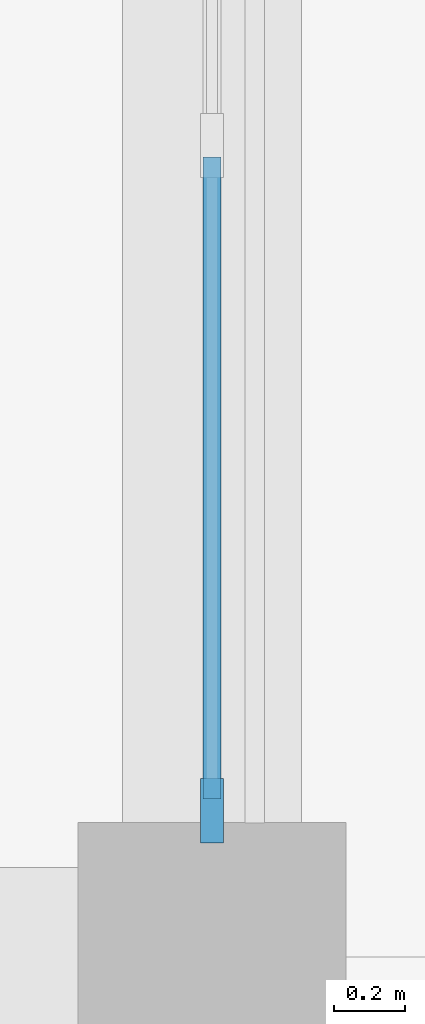
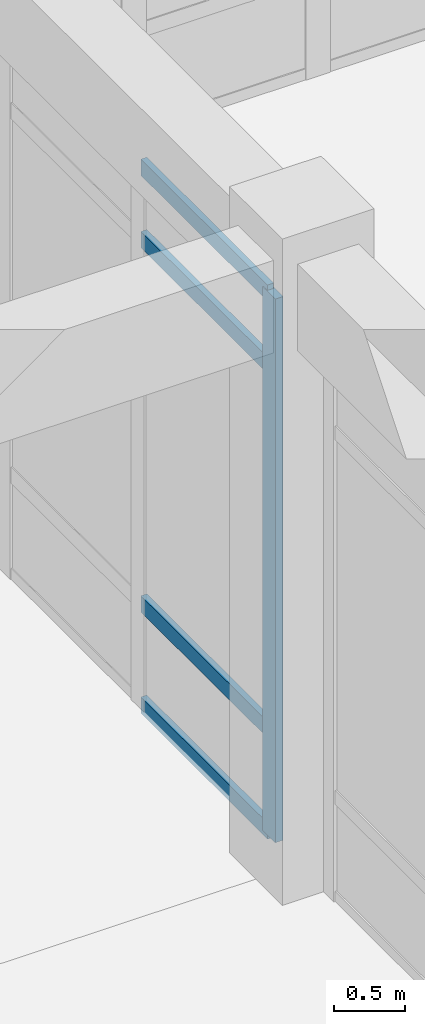
# One storey, part 40 of 91: 5 members, 1 element without a shape of its own.
"""IFC4 building model written with IfcOpenShell, lengths in metres."""

from ifc_helpers import new_model, si_unit, direction, frame, origin, origin_2d, place, context, subcontext, project, spatial, rectangle, extrude, material, layer, layer_set, material_profile, profile_set, type_object, element, aggregate, save


model = new_model("IFC4")

# Units and contexts
model_context = context("Model", 3, precision=1e-05, world=origin(), true_north=direction((0.0, 1.0)))
body_context = subcontext(model_context, "Body", "Model", "MODEL_VIEW")
ifc_project = project(units=[si_unit("LENGTHUNIT", "METRE"), si_unit("AREAUNIT", "SQUARE_METRE"), si_unit("VOLUMEUNIT", "CUBIC_METRE"), si_unit("PLANEANGLEUNIT", "RADIAN"), si_unit("MASSUNIT", "GRAM", prefix="KILO")], contexts=[model_context])

# Site, building, storey
site_placement = place(None, origin())
site = spatial("IfcSite", under=ifc_project, at=site_placement, CompositionType="ELEMENT")
building_placement = place(site_placement, origin())
building = spatial("IfcBuilding", under=site, at=building_placement, Name="Porcellanite Civic Hall", CompositionType="ELEMENT")
storey_placement = place(building_placement, origin())
storey = spatial("IfcBuildingStorey", under=building, at=storey_placement, Name="L00", CompositionType="ELEMENT", Elevation=0.0)

# Curtain wall, members
ifc_material_1 = material(Name="Anodised aluminium and solar laminated glass", Category="aluminium")
ifc_layer = layer(ifc_material_1, 0.179931640625)
ifc_layer_set = layer_set([ifc_layer], Name="Anodised aluminium and solar laminated glass")
curtain_wall_type = type_object("IfcCurtainWallType", Name="CW-SYS06", PredefinedType="NOTDEFINED", material=ifc_layer_set)
curtain_wall_placement = place(storey_placement, origin())
curtain_wall = element("IfcCurtainWall", 1, at=curtain_wall_placement, inside=storey, type_object=curtain_wall_type, Name="Curtain wall CW-044", PredefinedType="NOTDEFINED")
ifc_material_2 = material(Name="Anodised aluminium 6063-T6", Category="aluminium")
ifc_material_profile_1 = material_profile(ifc_material_2, rectangle(XDim=0.06494140625, YDim=0.179931640625, at=origin_2d()), Name="AL-65x180")
ifc_profile_set_1 = profile_set([ifc_material_profile_1], Name="Anodised aluminium 6063-T6")
member_type_1 = type_object("IfcMemberType", Name="CWM-06", PredefinedType="MULLION", material=ifc_profile_set_1)
member_1_placement = place(storey_placement, frame((126.0, 92.80859375, 0.0), z_axis=(0.0, 0.0, 1.0), x_axis=(1.0, 0.0, 0.0)))
member_1 = element("IfcMember", 2, at=member_1_placement, type_object=member_type_1, Name="CW-044 mullion 5", PredefinedType="MULLION", context=body_context, shape_type="SweptSolid", body=[
    extrude(rectangle(XDim=0.06494140625, YDim=0.179931640625, at=origin_2d()), origin(), (0.0, 0.0, 1.0), 4.699951171875),
])
ifc_material_3 = material(Name="Anodised aluminium 6063-T6", Category="aluminium")
ifc_material_profile_2 = material_profile(ifc_material_3, rectangle(XDim=0.050048828125, YDim=0.139892578125, at=origin_2d()), Name="AL-50x140")
ifc_profile_set_2 = profile_set([ifc_material_profile_2], Name="Anodised aluminium 6063-T6")
member_type_2 = type_object("IfcMemberType", Name="CWT-06", PredefinedType="USERDEFINED", material=ifc_profile_set_2)
member_2_placement = place(storey_placement, frame((126.0, 94.63671875, 0.02490234375), z_axis=(0.0, -1.0, 0.0), x_axis=(1.0, 0.0, 0.0)))
member_2 = element("IfcMember", 3, at=member_2_placement, type_object=member_type_2, Name="CW-044 transom 4.1", ObjectType="TRANSOM", PredefinedType="USERDEFINED", context=body_context, shape_type="SweptSolid", body=[
    extrude(rectangle(XDim=0.050048828125, YDim=0.139892578125, at=origin_2d()), origin(), (0.0, 0.0, 1.0), 1.795654296875),
])
member_3_placement = place(storey_placement, frame((126.0, 94.63671875, 0.89990234375), z_axis=(0.0, -1.0, 0.0), x_axis=(1.0, 0.0, 0.0)))
member_3 = element("IfcMember", 4, at=member_3_placement, type_object=member_type_2, Name="CW-044 transom 4.2", ObjectType="TRANSOM", PredefinedType="USERDEFINED", context=body_context, shape_type="SweptSolid", body=[
    extrude(rectangle(XDim=0.050048828125, YDim=0.139892578125, at=origin_2d()), origin(), (0.0, 0.0, 1.0), 1.795654296875),
])
member_4_placement = place(storey_placement, frame((126.0, 94.63671875, 4.050048828125), z_axis=(0.0, -1.0, 0.0), x_axis=(1.0, 0.0, 0.0)))
member_4 = element("IfcMember", 5, at=member_4_placement, type_object=member_type_2, Name="CW-044 transom 4.3", ObjectType="TRANSOM", PredefinedType="USERDEFINED", context=body_context, shape_type="SweptSolid", body=[
    extrude(rectangle(XDim=0.050048828125, YDim=0.139892578125, at=origin_2d()), origin(), (0.0, 0.0, 1.0), 1.795654296875),
])
member_5_placement = place(storey_placement, frame((126.0, 94.63671875, 4.675048828125), z_axis=(0.0, -1.0, 0.0), x_axis=(1.0, 0.0, 0.0)))
member_5 = element("IfcMember", 6, at=member_5_placement, type_object=member_type_2, Name="CW-044 transom 4.4", ObjectType="TRANSOM", PredefinedType="USERDEFINED", context=body_context, shape_type="SweptSolid", body=[
    extrude(rectangle(XDim=0.050048828125, YDim=0.139892578125, at=origin_2d()), origin(), (0.0, 0.0, 1.0), 1.795654296875),
])
aggregate(curtain_wall, [member_1, member_2, member_3, member_4, member_5])

save(model, "model.ifc")
